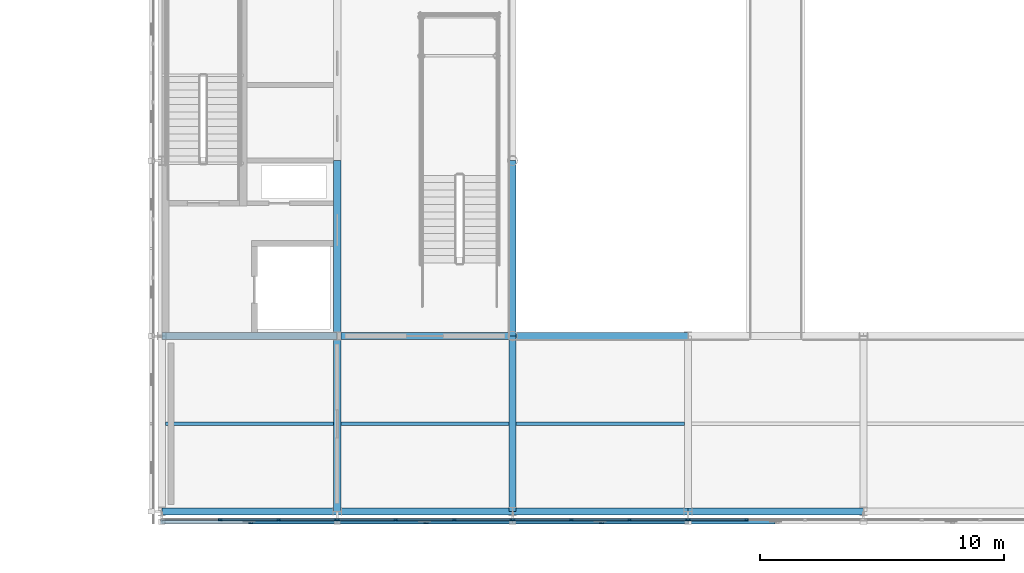
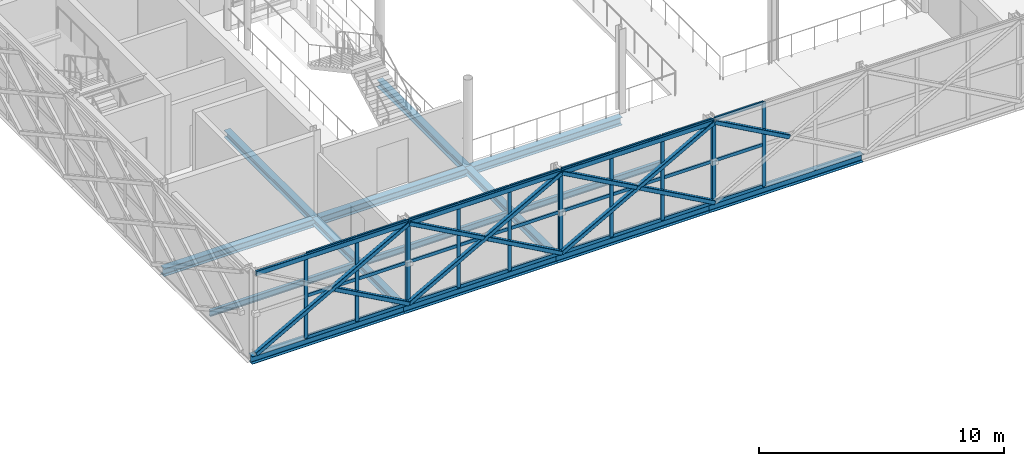
# One storey, part 31 of 126: 52 members, 14 beams, 4 elements without a shape of their own.
"""IFC4 building model written with IfcOpenShell, lengths in metres."""

from ifc_helpers import new_model, si_unit, direction, frame, origin, origin_2d, place, context, subcontext, project, spatial, rectangle, hollow_rectangle, i_section, extrude, material, material_profile, profile_set, type_object, element, aggregate, save


model = new_model("IFC4")

# Units and contexts
model_context = context("Model", 3, precision=1e-05, world=origin(), true_north=direction((0.0, 1.0)))
body_context = subcontext(model_context, "Body", "Model", "MODEL_VIEW")
ifc_project = project(units=[si_unit("LENGTHUNIT", "METRE"), si_unit("AREAUNIT", "SQUARE_METRE"), si_unit("VOLUMEUNIT", "CUBIC_METRE"), si_unit("PLANEANGLEUNIT", "RADIAN"), si_unit("MASSUNIT", "GRAM", prefix="KILO")], contexts=[model_context])

# Site, building, storey
site_placement = place(None, origin())
site = spatial("IfcSite", under=ifc_project, at=site_placement, CompositionType="ELEMENT")
building_placement = place(site_placement, origin())
building = spatial("IfcBuilding", under=site, at=building_placement, Name="Zlatovets Crest Museum", CompositionType="ELEMENT")
storey_placement = place(building_placement, frame((0.0, 0.0, 8.699951171875)))
storey = spatial("IfcBuildingStorey", under=building, at=storey_placement, Name="L02", CompositionType="ELEMENT", Elevation=8.699951171875)

# Beams
ifc_material_1 = material(Name="Structural steel S355J2", Category="steel")
ifc_material_profile_1 = material_profile(ifc_material_1, i_section(OverallWidth=0.300048828125, OverallDepth=0.389892578125, WebThickness=0.010986328125, FlangeThickness=0.01904296875, FilletRadius=0.027099609375, at=origin_2d()), Name="HEA 400")
ifc_profile_set_1 = profile_set([ifc_material_profile_1], Name="Structural steel S355J2")
beam_type_1 = type_object("IfcBeamType", Name="Beam_B-02", PredefinedType="BEAM", material=ifc_profile_set_1)
for number, where, z_axis, x_axis, name in (
    (1, (57.60009765625, 0.0, -0.4150390625), (1.0, 0.0, 0.0), (0.0, 1.0, 0.0), "V2 L02 Primary Girder B-02"),
    (2, (64.800048828125, 0.0, -0.4150390625), (1.0, 0.0, 0.0), (0.0, 1.0, 0.0), "V2 L02 Primary Girder B-02"),
    (3, (72.0, 0.0, -0.4150390625), (1.0, 0.0, 0.0), (0.0, 1.0, 0.0), "V2 L02 Primary Girder B-02"),
    (4, (79.199951171875, 0.0, -0.4150390625), (1.0, 0.0, 0.0), (0.0, 1.0, 0.0), "V2 L02 Primary Girder B-02"),
    (5, (57.60009765625, 7.199951171875, -0.4150390625), (1.0, 0.0, 0.0), (0.0, 1.0, 0.0), "V2 L02 Primary Girder B-02"),
    (6, (64.800048828125, 7.199951171875, -0.4150390625), (1.0, 0.0, 0.0), (0.0, 1.0, 0.0), "V2 L02 Primary Girder B-02"),
    (7, (72.0, 7.199951171875, -0.4150390625), (1.0, 0.0, 0.0), (0.0, 1.0, 0.0), "V2 L02 Primary Girder B-02"),
):
    element("IfcBeam", number, at=place(storey_placement, frame(where, z_axis=z_axis, x_axis=x_axis)), inside=storey, type_object=beam_type_1, Name=name, PredefinedType="BEAM", context=body_context, shape_type="SweptSolid", body=[
        extrude(i_section(OverallWidth=0.300048828125, OverallDepth=0.389892578125, WebThickness=0.010986328125, FlangeThickness=0.01904296875, FilletRadius=0.027099609375, at=origin_2d()), origin(), (0.0, 0.0, 1.0), 7.199951171875),
    ])
ifc_material_profile_2 = material_profile(ifc_material_1, i_section(OverallWidth=0.300048828125, OverallDepth=0.35009765625, WebThickness=0.010009765625, FlangeThickness=0.017578125, FilletRadius=0.027099609375, at=origin_2d()), Name="HEA 360")
ifc_profile_set_2 = profile_set([ifc_material_profile_2], Name="Structural steel S355J2")
beam_type_2 = type_object("IfcBeamType", Name="Beam_B-03", PredefinedType="BEAM", material=ifc_profile_set_2)
for number, where, z_axis, x_axis, name in (
    (8, (64.800048828125, 0.0, -0.39501953125), (0.0, 1.0, 0.0), (-1.0, 0.0, 0.0), "V2 L02 Grid Beam B-03"),
    (9, (64.800048828125, 7.199951171875, -0.39501953125), (0.0, 1.0, 0.0), (-1.0, 0.0, 0.0), "V2 L02 Grid Beam B-03"),
    (10, (72.0, 0.0, -0.39501953125), (0.0, 1.0, 0.0), (-1.0, 0.0, 0.0), "V2 L02 Grid Beam B-03"),
    (11, (72.0, 7.199951171875, -0.39501953125), (0.0, 1.0, 0.0), (-1.0, 0.0, 0.0), "V2 L02 Grid Beam B-03"),
):
    element("IfcBeam", number, at=place(storey_placement, frame(where, z_axis=z_axis, x_axis=x_axis)), inside=storey, type_object=beam_type_2, Name=name, PredefinedType="BEAM", context=body_context, shape_type="SweptSolid", body=[
        extrude(i_section(OverallWidth=0.300048828125, OverallDepth=0.35009765625, WebThickness=0.010009765625, FlangeThickness=0.017578125, FilletRadius=0.027099609375, at=origin_2d()), origin(), (0.0, 0.0, 1.0), 7.199951171875),
    ])
ifc_material_profile_3 = material_profile(ifc_material_1, i_section(OverallWidth=0.14990234375, OverallDepth=0.300048828125, WebThickness=0.007080078125, FlangeThickness=0.0107421875, FilletRadius=0.014892578125, at=origin_2d()), Name="IPE 300")
ifc_profile_set_3 = profile_set([ifc_material_profile_3], Name="Structural steel S355J2")
beam_type_3 = type_object("IfcBeamType", Name="Beam_J-02", PredefinedType="JOIST", material=ifc_profile_set_3)
beam_placement = place(storey_placement, frame((57.75, 3.60009765625, -0.369873046875), z_axis=(1.0, 0.0, 0.0), x_axis=(0.0, 1.0, 0.0)))
element("IfcBeam", 12, at=beam_placement, inside=storey, type_object=beam_type_3, Name="V2 L02 Composite Joist J-02", PredefinedType="JOIST", context=body_context, shape_type="SweptSolid", body=[
    extrude(i_section(OverallWidth=0.14990234375, OverallDepth=0.300048828125, WebThickness=0.007080078125, FlangeThickness=0.0107421875, FilletRadius=0.014892578125, at=origin_2d()), origin(), (0.0, 0.0, 1.0), 6.89990234375),
])
for number, where, z_axis, x_axis, name in (
    (13, (64.949951171875, 3.60009765625, -0.369873046875), (1.0, 0.0, 0.0), (0.0, 1.0, 0.0), "V2 L02 Composite Joist J-02"),
    (14, (72.14990234375, 3.60009765625, -0.369873046875), (1.0, 0.0, 0.0), (0.0, 1.0, 0.0), "V2 L02 Composite Joist J-02"),
):
    element("IfcBeam", number, at=place(storey_placement, frame(where, z_axis=z_axis, x_axis=x_axis)), inside=storey, type_object=beam_type_3, Name=name, PredefinedType="JOIST", context=body_context, shape_type="SweptSolid", body=[
        extrude(i_section(OverallWidth=0.14990234375, OverallDepth=0.300048828125, WebThickness=0.007080078125, FlangeThickness=0.0107421875, FilletRadius=0.014892578125, at=origin_2d()), origin(), (0.0, 0.0, 1.0), 6.900146484375),
    ])

# Curtain wall, members
ifc_material_2 = material(Name="Bronze-anodised aluminium and low-E triple glass", Category="aluminium")
curtain_wall_type_1 = type_object("IfcCurtainWallType", Name="CW_CW-V2-L02-M0", PredefinedType="NOTDEFINED", material=ifc_material_2)
curtain_wall_1_placement = place(storey_placement, origin())
curtain_wall_1 = element("IfcCurtainWall", 15, at=curtain_wall_1_placement, inside=storey, type_object=curtain_wall_type_1, Name="V2 L02 Secession Foyer Clear Curtain Wall", PredefinedType="NOTDEFINED")
ifc_material_3 = material(Name="Bronze-anodised aluminium EN AW-6060", Category="aluminium")
ifc_material_profile_4 = material_profile(ifc_material_3, rectangle(XDim=0.080078125, YDim=0.159912109375, at=origin_2d()), Name="ALU 80x160")
ifc_profile_set_4 = profile_set([ifc_material_profile_4], Name="Bronze-anodised aluminium EN AW-6060")
member_type_1 = type_object("IfcMemberType", Name="CWMull_M1", PredefinedType="MULLION", material=ifc_profile_set_4)
member_1_placement = place(storey_placement, frame((60.0, -0.340087890625, 0.0), z_axis=(0.0, 0.0, 1.0), x_axis=(0.0, 1.0, 0.0)))
member_1 = element("IfcMember", 16, at=member_1_placement, type_object=member_type_1, Name="CW-V2-L02-M0 mullion 2", PredefinedType="MULLION", context=body_context, shape_type="SweptSolid", body=[
    extrude(rectangle(XDim=0.080078125, YDim=0.159912109375, at=origin_2d()), origin(), (0.0, 0.0, 1.0), 4.199951171875),
])
member_2_placement = place(storey_placement, frame((62.39990234375, -0.340087890625, 0.0), z_axis=(0.0, 0.0, 1.0), x_axis=(0.0, 1.0, 0.0)))
member_2 = element("IfcMember", 17, at=member_2_placement, type_object=member_type_1, Name="CW-V2-L02-M0 mullion 3", PredefinedType="MULLION", context=body_context, shape_type="SweptSolid", body=[
    extrude(rectangle(XDim=0.080078125, YDim=0.159912109375, at=origin_2d()), origin(), (0.0, 0.0, 1.0), 4.199951171875),
])
member_3_placement = place(storey_placement, frame((64.77001953125, -0.340087890625, 0.0), z_axis=(0.0, 0.0, 1.0), x_axis=(0.0, 1.0, 0.0)))
member_3 = element("IfcMember", 18, at=member_3_placement, type_object=member_type_1, Name="CW-V2-L02-M0 mullion 4", PredefinedType="MULLION", context=body_context, shape_type="SweptSolid", body=[
    extrude(rectangle(XDim=0.080078125, YDim=0.159912109375, at=origin_2d()), origin(), (0.0, 0.0, 1.0), 4.199951171875),
])

curtain_wall_type_2 = type_object("IfcCurtainWallType", Name="CW_CW-V2-L02-M1", PredefinedType="NOTDEFINED", material=ifc_material_2)
curtain_wall_2_placement = place(storey_placement, origin())
curtain_wall_2 = element("IfcCurtainWall", 19, at=curtain_wall_2_placement, inside=storey, type_object=curtain_wall_type_2, Name="V2 L02 Secession Foyer Clear Curtain Wall", PredefinedType="NOTDEFINED")
member_4_placement = place(storey_placement, frame((64.830078125, -0.340087890625, 0.0), z_axis=(0.0, 0.0, 1.0), x_axis=(0.0, 1.0, 0.0)))
member_4 = element("IfcMember", 20, at=member_4_placement, type_object=member_type_1, Name="CW-V2-L02-M1 mullion 1", PredefinedType="MULLION", context=body_context, shape_type="SweptSolid", body=[
    extrude(rectangle(XDim=0.080078125, YDim=0.159912109375, at=origin_2d()), origin(), (0.0, 0.0, 1.0), 4.199951171875),
])
member_5_placement = place(storey_placement, frame((67.199951171875, -0.340087890625, 0.0), z_axis=(0.0, 0.0, 1.0), x_axis=(0.0, 1.0, 0.0)))
member_5 = element("IfcMember", 21, at=member_5_placement, type_object=member_type_1, Name="CW-V2-L02-M1 mullion 2", PredefinedType="MULLION", context=body_context, shape_type="SweptSolid", body=[
    extrude(rectangle(XDim=0.080078125, YDim=0.159912109375, at=origin_2d()), origin(), (0.0, 0.0, 1.0), 4.199951171875),
])
member_6_placement = place(storey_placement, frame((69.60009765625, -0.340087890625, 0.0), z_axis=(0.0, 0.0, 1.0), x_axis=(0.0, 1.0, 0.0)))
member_6 = element("IfcMember", 22, at=member_6_placement, type_object=member_type_1, Name="CW-V2-L02-M1 mullion 3", PredefinedType="MULLION", context=body_context, shape_type="SweptSolid", body=[
    extrude(rectangle(XDim=0.080078125, YDim=0.159912109375, at=origin_2d()), origin(), (0.0, 0.0, 1.0), 4.199951171875),
])
member_7_placement = place(storey_placement, frame((71.969970703125, -0.340087890625, 0.0), z_axis=(0.0, 0.0, 1.0), x_axis=(0.0, 1.0, 0.0)))
member_7 = element("IfcMember", 23, at=member_7_placement, type_object=member_type_1, Name="CW-V2-L02-M1 mullion 4", PredefinedType="MULLION", context=body_context, shape_type="SweptSolid", body=[
    extrude(rectangle(XDim=0.080078125, YDim=0.159912109375, at=origin_2d()), origin(), (0.0, 0.0, 1.0), 4.199951171875),
])

curtain_wall_type_3 = type_object("IfcCurtainWallType", Name="CW_CW-V2-L02-M2", PredefinedType="NOTDEFINED", material=ifc_material_2)
curtain_wall_3_placement = place(storey_placement, origin())
curtain_wall_3 = element("IfcCurtainWall", 24, at=curtain_wall_3_placement, inside=storey, type_object=curtain_wall_type_3, Name="V2 L02 Secession Foyer Clear Curtain Wall", PredefinedType="NOTDEFINED")
member_8_placement = place(storey_placement, frame((72.030029296875, -0.340087890625, 0.0), z_axis=(0.0, 0.0, 1.0), x_axis=(0.0, 1.0, 0.0)))
member_8 = element("IfcMember", 25, at=member_8_placement, type_object=member_type_1, Name="CW-V2-L02-M2 mullion 1", PredefinedType="MULLION", context=body_context, shape_type="SweptSolid", body=[
    extrude(rectangle(XDim=0.080078125, YDim=0.159912109375, at=origin_2d()), origin(), (0.0, 0.0, 1.0), 4.199951171875),
])
member_9_placement = place(storey_placement, frame((74.39990234375, -0.340087890625, 0.0), z_axis=(0.0, 0.0, 1.0), x_axis=(0.0, 1.0, 0.0)))
member_9 = element("IfcMember", 26, at=member_9_placement, type_object=member_type_1, Name="CW-V2-L02-M2 mullion 2", PredefinedType="MULLION", context=body_context, shape_type="SweptSolid", body=[
    extrude(rectangle(XDim=0.080078125, YDim=0.159912109375, at=origin_2d()), origin(), (0.0, 0.0, 1.0), 4.199951171875),
])
member_10_placement = place(storey_placement, frame((76.800048828125, -0.340087890625, 0.0), z_axis=(0.0, 0.0, 1.0), x_axis=(0.0, 1.0, 0.0)))
member_10 = element("IfcMember", 27, at=member_10_placement, type_object=member_type_1, Name="CW-V2-L02-M2 mullion 3", PredefinedType="MULLION", context=body_context, shape_type="SweptSolid", body=[
    extrude(rectangle(XDim=0.080078125, YDim=0.159912109375, at=origin_2d()), origin(), (0.0, 0.0, 1.0), 4.199951171875),
])
member_11_placement = place(storey_placement, frame((79.169921875, -0.340087890625, 0.0), z_axis=(0.0, 0.0, 1.0), x_axis=(0.0, 1.0, 0.0)))
member_11 = element("IfcMember", 28, at=member_11_placement, type_object=member_type_1, Name="CW-V2-L02-M2 mullion 4", PredefinedType="MULLION", context=body_context, shape_type="SweptSolid", body=[
    extrude(rectangle(XDim=0.080078125, YDim=0.159912109375, at=origin_2d()), origin(), (0.0, 0.0, 1.0), 4.199951171875),
])

curtain_wall_type_4 = type_object("IfcCurtainWallType", Name="CW_CW-V2-L02-M3", PredefinedType="NOTDEFINED", material=ifc_material_2)
curtain_wall_4_placement = place(storey_placement, origin())
curtain_wall_4 = element("IfcCurtainWall", 29, at=curtain_wall_4_placement, inside=storey, type_object=curtain_wall_type_4, Name="V2 L02 Secession Foyer Clear Curtain Wall", PredefinedType="NOTDEFINED")
member_12_placement = place(storey_placement, frame((79.22998046875, -0.340087890625, 0.0), z_axis=(0.0, 0.0, 1.0), x_axis=(0.0, 1.0, 0.0)))
member_12 = element("IfcMember", 30, at=member_12_placement, type_object=member_type_1, Name="CW-V2-L02-M3 mullion 1", PredefinedType="MULLION", context=body_context, shape_type="SweptSolid", body=[
    extrude(rectangle(XDim=0.080078125, YDim=0.159912109375, at=origin_2d()), origin(), (0.0, 0.0, 1.0), 4.199951171875),
])
member_13_placement = place(storey_placement, frame((81.60009765625, -0.340087890625, 0.0), z_axis=(0.0, 0.0, 1.0), x_axis=(0.0, 1.0, 0.0)))
member_13 = element("IfcMember", 31, at=member_13_placement, type_object=member_type_1, Name="CW-V2-L02-M3 mullion 2", PredefinedType="MULLION", context=body_context, shape_type="SweptSolid", body=[
    extrude(rectangle(XDim=0.080078125, YDim=0.159912109375, at=origin_2d()), origin(), (0.0, 0.0, 1.0), 4.199951171875),
])

# Member
ifc_material_profile_5 = material_profile(ifc_material_3, rectangle(XDim=0.080078125, YDim=0.159912109375, at=origin_2d()), Name="ALU 80x160")
ifc_profile_set_5 = profile_set([ifc_material_profile_5], Name="Bronze-anodised aluminium EN AW-6060")
member_type_2 = type_object("IfcMemberType", Name="CWTrans_T1", PredefinedType="USERDEFINED", material=ifc_profile_set_5)
member_14_placement = place(storey_placement, frame((60.030029296875, -0.340087890625, 0.030029296875), z_axis=(1.0, 0.0, 0.0), x_axis=(0.0, 1.0, 0.0)))
member_14 = element("IfcMember", 32, at=member_14_placement, type_object=member_type_2, Name="CW-V2-L02-M0 transom 2.1", ObjectType="TRANSOM", PredefinedType="USERDEFINED", context=body_context, shape_type="SweptSolid", body=[
    extrude(rectangle(XDim=0.080078125, YDim=0.159912109375, at=origin_2d()), origin(), (0.0, 0.0, 1.0), 2.340087890625),
])

member_15_placement = place(storey_placement, frame((60.030029296875, -0.340087890625, 2.10009765625), z_axis=(1.0, 0.0, 0.0), x_axis=(0.0, 1.0, 0.0)))
member_15 = element("IfcMember", 33, at=member_15_placement, type_object=member_type_2, Name="CW-V2-L02-M0 transom 2.2", ObjectType="TRANSOM", PredefinedType="USERDEFINED", context=body_context, shape_type="SweptSolid", body=[
    extrude(rectangle(XDim=0.080078125, YDim=0.159912109375, at=origin_2d()), origin(), (0.0, 0.0, 1.0), 2.340087890625),
])

member_16_placement = place(storey_placement, frame((60.030029296875, -0.340087890625, 4.170166015625), z_axis=(1.0, 0.0, 0.0), x_axis=(0.0, 1.0, 0.0)))
member_16 = element("IfcMember", 34, at=member_16_placement, type_object=member_type_2, Name="CW-V2-L02-M0 transom 2.3", ObjectType="TRANSOM", PredefinedType="USERDEFINED", context=body_context, shape_type="SweptSolid", body=[
    extrude(rectangle(XDim=0.080078125, YDim=0.159912109375, at=origin_2d()), origin(), (0.0, 0.0, 1.0), 2.340087890625),
])

member_17_placement = place(storey_placement, frame((62.429931640625, -0.340087890625, 0.030029296875), z_axis=(1.0, 0.0, 0.0), x_axis=(0.0, 1.0, 0.0)))
member_17 = element("IfcMember", 35, at=member_17_placement, type_object=member_type_2, Name="CW-V2-L02-M0 transom 3.1", ObjectType="TRANSOM", PredefinedType="USERDEFINED", context=body_context, shape_type="SweptSolid", body=[
    extrude(rectangle(XDim=0.080078125, YDim=0.159912109375, at=origin_2d()), origin(), (0.0, 0.0, 1.0), 2.31005859375),
])

member_18_placement = place(storey_placement, frame((62.429931640625, -0.340087890625, 2.10009765625), z_axis=(1.0, 0.0, 0.0), x_axis=(0.0, 1.0, 0.0)))
member_18 = element("IfcMember", 36, at=member_18_placement, type_object=member_type_2, Name="CW-V2-L02-M0 transom 3.2", ObjectType="TRANSOM", PredefinedType="USERDEFINED", context=body_context, shape_type="SweptSolid", body=[
    extrude(rectangle(XDim=0.080078125, YDim=0.159912109375, at=origin_2d()), origin(), (0.0, 0.0, 1.0), 2.31005859375),
])

member_19_placement = place(storey_placement, frame((62.429931640625, -0.340087890625, 4.170166015625), z_axis=(1.0, 0.0, 0.0), x_axis=(0.0, 1.0, 0.0)))
member_19 = element("IfcMember", 37, at=member_19_placement, type_object=member_type_2, Name="CW-V2-L02-M0 transom 3.3", ObjectType="TRANSOM", PredefinedType="USERDEFINED", context=body_context, shape_type="SweptSolid", body=[
    extrude(rectangle(XDim=0.080078125, YDim=0.159912109375, at=origin_2d()), origin(), (0.0, 0.0, 1.0), 2.31005859375),
])

aggregate(curtain_wall_1, [member_1, member_2, member_3, member_14, member_15, member_16, member_17, member_18, member_19])

member_20_placement = place(storey_placement, frame((64.860107421875, -0.340087890625, 0.030029296875), z_axis=(1.0, 0.0, 0.0), x_axis=(0.0, 1.0, 0.0)))
member_20 = element("IfcMember", 38, at=member_20_placement, type_object=member_type_2, Name="CW-V2-L02-M1 transom 1.1", ObjectType="TRANSOM", PredefinedType="USERDEFINED", context=body_context, shape_type="SweptSolid", body=[
    extrude(rectangle(XDim=0.080078125, YDim=0.159912109375, at=origin_2d()), origin(), (0.0, 0.0, 1.0), 2.309814453125),
])

member_21_placement = place(storey_placement, frame((64.860107421875, -0.340087890625, 2.10009765625), z_axis=(1.0, 0.0, 0.0), x_axis=(0.0, 1.0, 0.0)))
member_21 = element("IfcMember", 39, at=member_21_placement, type_object=member_type_2, Name="CW-V2-L02-M1 transom 1.2", ObjectType="TRANSOM", PredefinedType="USERDEFINED", context=body_context, shape_type="SweptSolid", body=[
    extrude(rectangle(XDim=0.080078125, YDim=0.159912109375, at=origin_2d()), origin(), (0.0, 0.0, 1.0), 2.309814453125),
])

member_22_placement = place(storey_placement, frame((64.860107421875, -0.340087890625, 4.170166015625), z_axis=(1.0, 0.0, 0.0), x_axis=(0.0, 1.0, 0.0)))
member_22 = element("IfcMember", 40, at=member_22_placement, type_object=member_type_2, Name="CW-V2-L02-M1 transom 1.3", ObjectType="TRANSOM", PredefinedType="USERDEFINED", context=body_context, shape_type="SweptSolid", body=[
    extrude(rectangle(XDim=0.080078125, YDim=0.159912109375, at=origin_2d()), origin(), (0.0, 0.0, 1.0), 2.309814453125),
])

member_23_placement = place(storey_placement, frame((67.22998046875, -0.340087890625, 0.030029296875), z_axis=(1.0, 0.0, 0.0), x_axis=(0.0, 1.0, 0.0)))
member_23 = element("IfcMember", 41, at=member_23_placement, type_object=member_type_2, Name="CW-V2-L02-M1 transom 2.1", ObjectType="TRANSOM", PredefinedType="USERDEFINED", context=body_context, shape_type="SweptSolid", body=[
    extrude(rectangle(XDim=0.080078125, YDim=0.159912109375, at=origin_2d()), origin(), (0.0, 0.0, 1.0), 2.340087890625),
])

member_24_placement = place(storey_placement, frame((67.22998046875, -0.340087890625, 2.10009765625), z_axis=(1.0, 0.0, 0.0), x_axis=(0.0, 1.0, 0.0)))
member_24 = element("IfcMember", 42, at=member_24_placement, type_object=member_type_2, Name="CW-V2-L02-M1 transom 2.2", ObjectType="TRANSOM", PredefinedType="USERDEFINED", context=body_context, shape_type="SweptSolid", body=[
    extrude(rectangle(XDim=0.080078125, YDim=0.159912109375, at=origin_2d()), origin(), (0.0, 0.0, 1.0), 2.340087890625),
])

member_25_placement = place(storey_placement, frame((67.22998046875, -0.340087890625, 4.170166015625), z_axis=(1.0, 0.0, 0.0), x_axis=(0.0, 1.0, 0.0)))
member_25 = element("IfcMember", 43, at=member_25_placement, type_object=member_type_2, Name="CW-V2-L02-M1 transom 2.3", ObjectType="TRANSOM", PredefinedType="USERDEFINED", context=body_context, shape_type="SweptSolid", body=[
    extrude(rectangle(XDim=0.080078125, YDim=0.159912109375, at=origin_2d()), origin(), (0.0, 0.0, 1.0), 2.340087890625),
])

member_26_placement = place(storey_placement, frame((69.6298828125, -0.340087890625, 0.030029296875), z_axis=(1.0, 0.0, 0.0), x_axis=(0.0, 1.0, 0.0)))
member_26 = element("IfcMember", 44, at=member_26_placement, type_object=member_type_2, Name="CW-V2-L02-M1 transom 3.1", ObjectType="TRANSOM", PredefinedType="USERDEFINED", context=body_context, shape_type="SweptSolid", body=[
    extrude(rectangle(XDim=0.080078125, YDim=0.159912109375, at=origin_2d()), origin(), (0.0, 0.0, 1.0), 2.31005859375),
])

member_27_placement = place(storey_placement, frame((69.6298828125, -0.340087890625, 2.10009765625), z_axis=(1.0, 0.0, 0.0), x_axis=(0.0, 1.0, 0.0)))
member_27 = element("IfcMember", 45, at=member_27_placement, type_object=member_type_2, Name="CW-V2-L02-M1 transom 3.2", ObjectType="TRANSOM", PredefinedType="USERDEFINED", context=body_context, shape_type="SweptSolid", body=[
    extrude(rectangle(XDim=0.080078125, YDim=0.159912109375, at=origin_2d()), origin(), (0.0, 0.0, 1.0), 2.31005859375),
])

member_28_placement = place(storey_placement, frame((69.6298828125, -0.340087890625, 4.170166015625), z_axis=(1.0, 0.0, 0.0), x_axis=(0.0, 1.0, 0.0)))
member_28 = element("IfcMember", 46, at=member_28_placement, type_object=member_type_2, Name="CW-V2-L02-M1 transom 3.3", ObjectType="TRANSOM", PredefinedType="USERDEFINED", context=body_context, shape_type="SweptSolid", body=[
    extrude(rectangle(XDim=0.080078125, YDim=0.159912109375, at=origin_2d()), origin(), (0.0, 0.0, 1.0), 2.31005859375),
])

aggregate(curtain_wall_2, [member_4, member_5, member_6, member_7, member_20, member_21, member_22, member_23, member_24, member_25, member_26, member_27, member_28])

member_29_placement = place(storey_placement, frame((72.06005859375, -0.340087890625, 0.030029296875), z_axis=(1.0, 0.0, 0.0), x_axis=(0.0, 1.0, 0.0)))
member_29 = element("IfcMember", 47, at=member_29_placement, type_object=member_type_2, Name="CW-V2-L02-M2 transom 1.1", ObjectType="TRANSOM", PredefinedType="USERDEFINED", context=body_context, shape_type="SweptSolid", body=[
    extrude(rectangle(XDim=0.080078125, YDim=0.159912109375, at=origin_2d()), origin(), (0.0, 0.0, 1.0), 2.31005859375),
])

member_30_placement = place(storey_placement, frame((72.06005859375, -0.340087890625, 2.10009765625), z_axis=(1.0, 0.0, 0.0), x_axis=(0.0, 1.0, 0.0)))
member_30 = element("IfcMember", 48, at=member_30_placement, type_object=member_type_2, Name="CW-V2-L02-M2 transom 1.2", ObjectType="TRANSOM", PredefinedType="USERDEFINED", context=body_context, shape_type="SweptSolid", body=[
    extrude(rectangle(XDim=0.080078125, YDim=0.159912109375, at=origin_2d()), origin(), (0.0, 0.0, 1.0), 2.31005859375),
])

member_31_placement = place(storey_placement, frame((72.06005859375, -0.340087890625, 4.170166015625), z_axis=(1.0, 0.0, 0.0), x_axis=(0.0, 1.0, 0.0)))
member_31 = element("IfcMember", 49, at=member_31_placement, type_object=member_type_2, Name="CW-V2-L02-M2 transom 1.3", ObjectType="TRANSOM", PredefinedType="USERDEFINED", context=body_context, shape_type="SweptSolid", body=[
    extrude(rectangle(XDim=0.080078125, YDim=0.159912109375, at=origin_2d()), origin(), (0.0, 0.0, 1.0), 2.31005859375),
])

member_32_placement = place(storey_placement, frame((74.429931640625, -0.340087890625, 0.030029296875), z_axis=(1.0, 0.0, 0.0), x_axis=(0.0, 1.0, 0.0)))
member_32 = element("IfcMember", 50, at=member_32_placement, type_object=member_type_2, Name="CW-V2-L02-M2 transom 2.1", ObjectType="TRANSOM", PredefinedType="USERDEFINED", context=body_context, shape_type="SweptSolid", body=[
    extrude(rectangle(XDim=0.080078125, YDim=0.159912109375, at=origin_2d()), origin(), (0.0, 0.0, 1.0), 2.340087890625),
])

member_33_placement = place(storey_placement, frame((74.429931640625, -0.340087890625, 2.10009765625), z_axis=(1.0, 0.0, 0.0), x_axis=(0.0, 1.0, 0.0)))
member_33 = element("IfcMember", 51, at=member_33_placement, type_object=member_type_2, Name="CW-V2-L02-M2 transom 2.2", ObjectType="TRANSOM", PredefinedType="USERDEFINED", context=body_context, shape_type="SweptSolid", body=[
    extrude(rectangle(XDim=0.080078125, YDim=0.159912109375, at=origin_2d()), origin(), (0.0, 0.0, 1.0), 2.340087890625),
])

member_34_placement = place(storey_placement, frame((74.429931640625, -0.340087890625, 4.170166015625), z_axis=(1.0, 0.0, 0.0), x_axis=(0.0, 1.0, 0.0)))
member_34 = element("IfcMember", 52, at=member_34_placement, type_object=member_type_2, Name="CW-V2-L02-M2 transom 2.3", ObjectType="TRANSOM", PredefinedType="USERDEFINED", context=body_context, shape_type="SweptSolid", body=[
    extrude(rectangle(XDim=0.080078125, YDim=0.159912109375, at=origin_2d()), origin(), (0.0, 0.0, 1.0), 2.340087890625),
])

member_35_placement = place(storey_placement, frame((76.830078125, -0.340087890625, 0.030029296875), z_axis=(1.0, 0.0, 0.0), x_axis=(0.0, 1.0, 0.0)))
member_35 = element("IfcMember", 53, at=member_35_placement, type_object=member_type_2, Name="CW-V2-L02-M2 transom 3.1", ObjectType="TRANSOM", PredefinedType="USERDEFINED", context=body_context, shape_type="SweptSolid", body=[
    extrude(rectangle(XDim=0.080078125, YDim=0.159912109375, at=origin_2d()), origin(), (0.0, 0.0, 1.0), 2.309814453125),
])

member_36_placement = place(storey_placement, frame((76.830078125, -0.340087890625, 2.10009765625), z_axis=(1.0, 0.0, 0.0), x_axis=(0.0, 1.0, 0.0)))
member_36 = element("IfcMember", 54, at=member_36_placement, type_object=member_type_2, Name="CW-V2-L02-M2 transom 3.2", ObjectType="TRANSOM", PredefinedType="USERDEFINED", context=body_context, shape_type="SweptSolid", body=[
    extrude(rectangle(XDim=0.080078125, YDim=0.159912109375, at=origin_2d()), origin(), (0.0, 0.0, 1.0), 2.309814453125),
])

member_37_placement = place(storey_placement, frame((76.830078125, -0.340087890625, 4.170166015625), z_axis=(1.0, 0.0, 0.0), x_axis=(0.0, 1.0, 0.0)))
member_37 = element("IfcMember", 55, at=member_37_placement, type_object=member_type_2, Name="CW-V2-L02-M2 transom 3.3", ObjectType="TRANSOM", PredefinedType="USERDEFINED", context=body_context, shape_type="SweptSolid", body=[
    extrude(rectangle(XDim=0.080078125, YDim=0.159912109375, at=origin_2d()), origin(), (0.0, 0.0, 1.0), 2.309814453125),
])

aggregate(curtain_wall_3, [member_8, member_9, member_10, member_11, member_29, member_30, member_31, member_32, member_33, member_34, member_35, member_36, member_37])

member_38_placement = place(storey_placement, frame((79.260009765625, -0.340087890625, 0.030029296875), z_axis=(1.0, 0.0, 0.0), x_axis=(0.0, 1.0, 0.0)))
member_38 = element("IfcMember", 56, at=member_38_placement, type_object=member_type_2, Name="CW-V2-L02-M3 transom 1.1", ObjectType="TRANSOM", PredefinedType="USERDEFINED", context=body_context, shape_type="SweptSolid", body=[
    extrude(rectangle(XDim=0.080078125, YDim=0.159912109375, at=origin_2d()), origin(), (0.0, 0.0, 1.0), 2.31005859375),
])

member_39_placement = place(storey_placement, frame((79.260009765625, -0.340087890625, 2.10009765625), z_axis=(1.0, 0.0, 0.0), x_axis=(0.0, 1.0, 0.0)))
member_39 = element("IfcMember", 57, at=member_39_placement, type_object=member_type_2, Name="CW-V2-L02-M3 transom 1.2", ObjectType="TRANSOM", PredefinedType="USERDEFINED", context=body_context, shape_type="SweptSolid", body=[
    extrude(rectangle(XDim=0.080078125, YDim=0.159912109375, at=origin_2d()), origin(), (0.0, 0.0, 1.0), 2.31005859375),
])

member_40_placement = place(storey_placement, frame((79.260009765625, -0.340087890625, 4.170166015625), z_axis=(1.0, 0.0, 0.0), x_axis=(0.0, 1.0, 0.0)))
member_40 = element("IfcMember", 58, at=member_40_placement, type_object=member_type_2, Name="CW-V2-L02-M3 transom 1.3", ObjectType="TRANSOM", PredefinedType="USERDEFINED", context=body_context, shape_type="SweptSolid", body=[
    extrude(rectangle(XDim=0.080078125, YDim=0.159912109375, at=origin_2d()), origin(), (0.0, 0.0, 1.0), 2.31005859375),
])

aggregate(curtain_wall_4, [member_12, member_13, member_38, member_39, member_40])

# Members
ifc_material_4 = material(Name="Weathering bronze-steel S355J2W", Category="steel")
ifc_material_profile_6 = material_profile(ifc_material_4, hollow_rectangle(XDim=0.199951171875, YDim=0.199951171875, WallThickness=0.012451171875, InnerFilletRadius=0.012451171875, OuterFilletRadius=0.02490234375, at=origin_2d()), Name="SHS 200x200x12.5")
ifc_profile_set_6 = profile_set([ifc_material_profile_6], Name="Weathering bronze-steel S355J2W")
member_type_3 = type_object("IfcMemberType", Name="Lattice_XL-02", PredefinedType="BRACE", material=ifc_profile_set_6)
member_41_placement = place(storey_placement, frame((57.60009765625, -0.419921875, 0.10009765625), z_axis=(0.874155877937, 0.0, 0.485645447903), x_axis=(0.0, 1.0, 0.0)))
element("IfcMember", 59, at=member_41_placement, inside=storey, type_object=member_type_3, Name="Continuous Bronze Lattice Diagonal", PredefinedType="BRACE", context=body_context, shape_type="SweptSolid", body=[
    extrude(hollow_rectangle(XDim=0.199951171875, YDim=0.199951171875, WallThickness=0.012451171875, InnerFilletRadius=0.012451171875, OuterFilletRadius=0.02490234375, at=origin_2d()), origin(), (0.0, 0.0, 1.0), 8.236572265625),
])
member_42_placement = place(storey_placement, frame((61.282958984375, -0.419921875, 2.053955078125), z_axis=(0.874165862873, 0.0, -0.485627474703), x_axis=(0.0, 1.0, 0.0)))
element("IfcMember", 60, at=member_42_placement, inside=storey, type_object=member_type_3, Name="Split Crossing Bronze Lattice Diagonal Lower", PredefinedType="BRACE", context=body_context, shape_type="SweptSolid", body=[
    extrude(hollow_rectangle(XDim=0.199951171875, YDim=0.199951171875, WallThickness=0.012451171875, InnerFilletRadius=0.012451171875, OuterFilletRadius=0.02490234375, at=origin_2d()), origin(), (0.0, 0.0, 1.0), 4.0234375),
])
member_43_placement = place(storey_placement, frame((64.800048828125, -0.419921875, 0.10009765625), z_axis=(0.874155877937, 0.0, 0.485645447903), x_axis=(0.0, 1.0, 0.0)))
element("IfcMember", 61, at=member_43_placement, inside=storey, type_object=member_type_3, Name="Continuous Bronze Lattice Diagonal", PredefinedType="BRACE", context=body_context, shape_type="SweptSolid", body=[
    extrude(hollow_rectangle(XDim=0.199951171875, YDim=0.199951171875, WallThickness=0.012451171875, InnerFilletRadius=0.012451171875, OuterFilletRadius=0.02490234375, at=origin_2d()), origin(), (0.0, 0.0, 1.0), 8.236572265625),
])
member_44_placement = place(storey_placement, frame((64.800048828125, -0.419921875, 4.10009765625), z_axis=(0.874151551165, 0.0, -0.485653235958), x_axis=(0.0, 1.0, 0.0)))
element("IfcMember", 62, at=member_44_placement, inside=storey, type_object=member_type_3, Name="Split Crossing Bronze Lattice Diagonal Upper", PredefinedType="BRACE", context=body_context, shape_type="SweptSolid", body=[
    extrude(hollow_rectangle(XDim=0.199951171875, YDim=0.199951171875, WallThickness=0.012451171875, InnerFilletRadius=0.012451171875, OuterFilletRadius=0.02490234375, at=origin_2d()), origin(), (0.0, 0.0, 1.0), 4.023193359375),
])
member_45_placement = place(storey_placement, frame((68.48291015625, -0.419921875, 2.053955078125), z_axis=(0.874165862873, 0.0, -0.485627474703), x_axis=(0.0, 1.0, 0.0)))
element("IfcMember", 63, at=member_45_placement, inside=storey, type_object=member_type_3, Name="Split Crossing Bronze Lattice Diagonal Lower", PredefinedType="BRACE", context=body_context, shape_type="SweptSolid", body=[
    extrude(hollow_rectangle(XDim=0.199951171875, YDim=0.199951171875, WallThickness=0.012451171875, InnerFilletRadius=0.012451171875, OuterFilletRadius=0.02490234375, at=origin_2d()), origin(), (0.0, 0.0, 1.0), 4.0234375),
])
member_46_placement = place(storey_placement, frame((72.0, -0.419921875, 0.10009765625), z_axis=(0.874155877937, 0.0, 0.485645447903), x_axis=(0.0, 1.0, 0.0)))
element("IfcMember", 64, at=member_46_placement, inside=storey, type_object=member_type_3, Name="Continuous Bronze Lattice Diagonal", PredefinedType="BRACE", context=body_context, shape_type="SweptSolid", body=[
    extrude(hollow_rectangle(XDim=0.199951171875, YDim=0.199951171875, WallThickness=0.012451171875, InnerFilletRadius=0.012451171875, OuterFilletRadius=0.02490234375, at=origin_2d()), origin(), (0.0, 0.0, 1.0), 8.236572265625),
])
member_47_placement = place(storey_placement, frame((72.0, -0.419921875, 4.10009765625), z_axis=(0.874165862873, 0.0, -0.485627474703), x_axis=(0.0, 1.0, 0.0)))
element("IfcMember", 65, at=member_47_placement, inside=storey, type_object=member_type_3, Name="Split Crossing Bronze Lattice Diagonal Upper", PredefinedType="BRACE", context=body_context, shape_type="SweptSolid", body=[
    extrude(hollow_rectangle(XDim=0.199951171875, YDim=0.199951171875, WallThickness=0.012451171875, InnerFilletRadius=0.012451171875, OuterFilletRadius=0.02490234375, at=origin_2d()), origin(), (0.0, 0.0, 1.0), 4.0234375),
])
member_48_placement = place(storey_placement, frame((75.68310546875, -0.419921875, 2.053955078125), z_axis=(0.874151551165, 0.0, -0.485653235958), x_axis=(0.0, 1.0, 0.0)))
element("IfcMember", 66, at=member_48_placement, inside=storey, type_object=member_type_3, Name="Split Crossing Bronze Lattice Diagonal Lower", PredefinedType="BRACE", context=body_context, shape_type="SweptSolid", body=[
    extrude(hollow_rectangle(XDim=0.199951171875, YDim=0.199951171875, WallThickness=0.012451171875, InnerFilletRadius=0.012451171875, OuterFilletRadius=0.02490234375, at=origin_2d()), origin(), (0.0, 0.0, 1.0), 4.023193359375),
])
member_49_placement = place(storey_placement, frame((79.199951171875, -0.419921875, 4.10009765625), z_axis=(0.874165862873, 0.0, -0.485627474703), x_axis=(0.0, 1.0, 0.0)))
element("IfcMember", 67, at=member_49_placement, inside=storey, type_object=member_type_3, Name="Split Crossing Bronze Lattice Diagonal Upper", PredefinedType="BRACE", context=body_context, shape_type="SweptSolid", body=[
    extrude(hollow_rectangle(XDim=0.199951171875, YDim=0.199951171875, WallThickness=0.012451171875, InnerFilletRadius=0.012451171875, OuterFilletRadius=0.02490234375, at=origin_2d()), origin(), (0.0, 0.0, 1.0), 4.0234375),
])
ifc_material_profile_7 = material_profile(ifc_material_4, hollow_rectangle(XDim=0.1201171875, YDim=0.239990234375, WallThickness=0.010009765625, InnerFilletRadius=0.010009765625, OuterFilletRadius=0.02001953125, at=origin_2d()), Name="RHS 120x240x10.0")
ifc_profile_set_7 = profile_set([ifc_material_profile_7], Name="Weathering bronze-steel S355J2W")
member_type_4 = type_object("IfcMemberType", Name="Lattice_XL-04", PredefinedType="CHORD", material=ifc_profile_set_7)
for number, where, z_axis, x_axis, name in (
    (68, (57.60009765625, -0.419921875, 4.10009765625), (1.0, 0.0, 0.0), (0.0, 1.0, 0.0), "Art Nouveau Woven Cage Collector Ring Chord"),
    (69, (64.800048828125, -0.419921875, 4.10009765625), (1.0, 0.0, 0.0), (0.0, 1.0, 0.0), "Art Nouveau Woven Cage Collector Ring Chord"),
    (70, (72.0, -0.419921875, 4.10009765625), (1.0, 0.0, 0.0), (0.0, 1.0, 0.0), "Art Nouveau Woven Cage Collector Ring Chord"),
):
    element("IfcMember", number, at=place(storey_placement, frame(where, z_axis=z_axis, x_axis=x_axis)), inside=storey, type_object=member_type_4, Name=name, PredefinedType="CHORD", context=body_context, shape_type="SweptSolid", body=[
        extrude(hollow_rectangle(XDim=0.1201171875, YDim=0.239990234375, WallThickness=0.010009765625, InnerFilletRadius=0.010009765625, OuterFilletRadius=0.02001953125, at=origin_2d()), origin(), (0.0, 0.0, 1.0), 7.199951171875),
    ])

save(model, "model.ifc")
